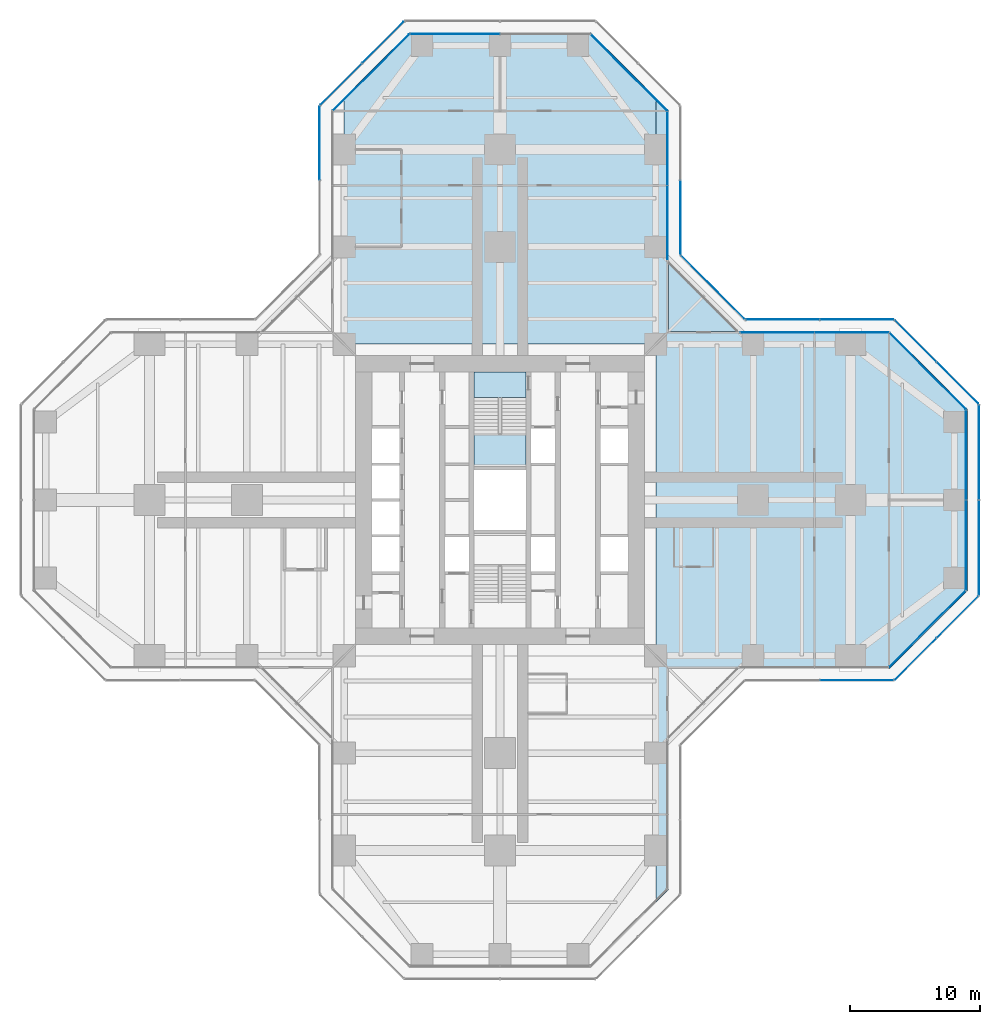
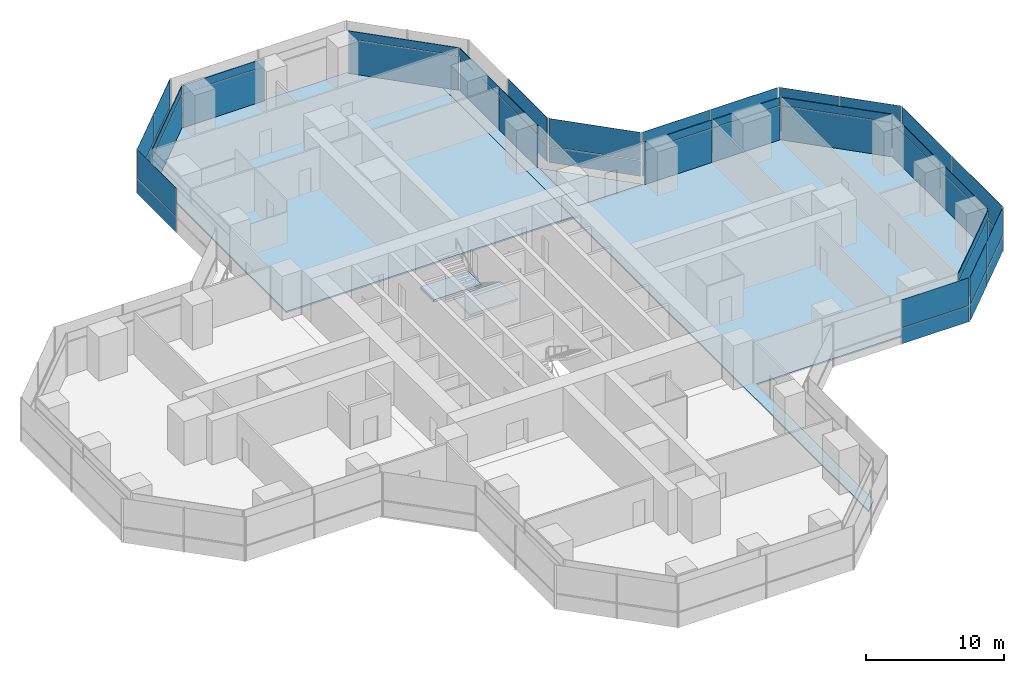
# One storey, part 16 of 22: 50 plates, 5 slabs, 18 elements without a shape of their own.
"""IFC4 building model written with IfcOpenShell, lengths in metres."""

import ifcopenshell
import ifcopenshell.guid

model = None  # the IFC model being written
_history = None  # IfcOwnerHistory: only IFC2X3 demands one
_inside = {}  # id of a spatial element -> (the spatial element, [elements in it])
_under = {}  # id of a project, library or spatial element -> (it, [spatial elements below it])
_declared = {}  # id of a project -> (the project, [libraries it declares])
_typed = {}  # id of a type object -> (the type object, [elements of that type])
_made_of = {}  # id of a material, layer set ... -> (it, [elements and type objects made of it])


def new_model(schema):
    """Start an empty IFC model of exactly this schema.

    Asked for "IFC4X3", IfcOpenShell would pick the latest addendum, in which some entities
    have other attributes; the version numbers below select the first issue.
    IFC2X3 requires an IfcOwnerHistory on every rooted entity: one is made here for all.
    """
    global model, _history
    if schema == "IFC4X3":
        model = ifcopenshell.file(schema_version=(4, 3, 0, 0))
    else:
        model = ifcopenshell.file(schema=schema)
    _inside.clear()
    _under.clear()
    _declared.clear()
    _typed.clear()
    _made_of.clear()
    _history = None
    if model.schema == "IFC2X3":
        org = make("IfcOrganization", Name="unknown")
        user = make(
            "IfcPersonAndOrganization",
            ThePerson=make("IfcPerson", FamilyName="unknown"),
            TheOrganization=org,
        )
        app = make(
            "IfcApplication",
            ApplicationDeveloper=org,
            Version="unknown",
            ApplicationFullName="unknown",
            ApplicationIdentifier="unknown",
        )
        _history = make(
            "IfcOwnerHistory",
            OwningUser=user,
            OwningApplication=app,
            ChangeAction="ADDED",
            CreationDate=0,
        )
    return model


def make(cls, **values):
    """One entity of the class cls with the attributes given. An attribute that is None is left unset."""
    return model.create_entity(
        cls, **{name: value for name, value in values.items() if value is not None}
    )


def rooted(cls, **values):
    """An entity with a GlobalId (a new one), such as an element, a storey or a relation."""
    return make(cls, GlobalId=ifcopenshell.guid.new(), OwnerHistory=_history, **values)


def si_unit(unit_type, name, prefix=None):
    """IfcSIUnit, for example si_unit("LENGTHUNIT", "METRE", prefix="MILLI")."""
    return make("IfcSIUnit", UnitType=unit_type, Prefix=prefix, Name=name)


def assignment(units):
    """IfcUnitAssignment: the units of a project."""
    return None if units is None else make("IfcUnitAssignment", Units=units)


def point(xyz):
    """IfcCartesianPoint."""
    return None if xyz is None else make("IfcCartesianPoint", Coordinates=xyz)


def direction(xyz):
    """IfcDirection."""
    return None if xyz is None else make("IfcDirection", DirectionRatios=xyz)


def frame(location, z_axis=None, x_axis=None):
    """IfcAxis2Placement3D, a coordinate frame: its origin and axes. An axis left out is left unset."""
    return make(
        "IfcAxis2Placement3D",
        Location=point(location),
        Axis=direction(z_axis),
        RefDirection=direction(x_axis),
    )


def frame_2d(location, x_axis=None):
    """IfcAxis2Placement2D, a coordinate frame in the plane: its origin and x axis."""
    return make(
        "IfcAxis2Placement2D", Location=point(location), RefDirection=direction(x_axis)
    )


def origin():
    """The frame at (0, 0, 0) with its axes left unset."""
    return frame((0.0, 0.0, 0.0))


def origin_2d():
    """The frame at (0, 0) in the plane with its x axis left unset."""
    return frame_2d((0.0, 0.0))


def place(relative_to, where):
    """IfcLocalPlacement: puts the frame where relative to a parent placement (None: the world)."""
    return make(
        "IfcLocalPlacement", PlacementRelTo=relative_to, RelativePlacement=where
    )


def context(
    kind, dimensions, precision=None, world=None, true_north=None, identifier=None
):
    """IfcGeometricRepresentationContext, for example the 3D "Model" context."""
    return make(
        "IfcGeometricRepresentationContext",
        ContextIdentifier=identifier,
        ContextType=kind,
        CoordinateSpaceDimension=dimensions,
        Precision=precision,
        WorldCoordinateSystem=world,
        TrueNorth=true_north,
    )


def subcontext(parent, identifier, kind, view, scale=None):
    """IfcGeometricRepresentationSubContext, for example "Body" below "Model"."""
    return make(
        "IfcGeometricRepresentationSubContext",
        ContextIdentifier=identifier,
        ContextType=kind,
        ParentContext=parent,
        TargetScale=scale,
        TargetView=view,
    )


def project(units=None, contexts=None):
    """IfcProject with its units and contexts."""
    return rooted(
        "IfcProject",
        Name="project",
        RepresentationContexts=contexts,
        UnitsInContext=assignment(units),
    )


def spatial(cls, under=None, at=None, **own):
    """A site, building, storey or space (cls), placed at a placement, below another one or the project."""
    s = rooted(cls, ObjectPlacement=at, **own)
    if under is not None:
        _under.setdefault(under.id(), (under, []))[1].append(s)
    return s


def polyline(points):
    """IfcPolyline through the points."""
    return make("IfcPolyline", Points=[point(p) for p in points])


def profile(cls, at=None, kind="AREA", **sizes):
    """A parametric profile (cls). Its sizes go by their IFC names, for example OverallWidth=200.0."""
    return make(cls, ProfileType=kind, Position=at, **sizes)


def rectangle(**sizes):
    """IfcRectangleProfileDef."""
    return profile("IfcRectangleProfileDef", **sizes)


def outline(outer, holes=None, kind="AREA"):
    """IfcArbitraryClosedProfileDef: a profile drawn as a closed curve; with holes, ...WithVoids."""
    if holes is None:
        return make("IfcArbitraryClosedProfileDef", ProfileType=kind, OuterCurve=outer)
    return make(
        "IfcArbitraryProfileDefWithVoids",
        ProfileType=kind,
        OuterCurve=outer,
        InnerCurves=holes,
    )


def extrude(swept, where, along, depth):
    """IfcExtrudedAreaSolid: the profile swept, set in the frame where, extruded along a direction by depth."""
    return make(
        "IfcExtrudedAreaSolid",
        SweptArea=swept,
        Position=where,
        ExtrudedDirection=direction(along),
        Depth=depth,
    )


def shape(context_of_items, identifier, shape_type, items):
    """IfcShapeRepresentation: the items that make up one representation, for example the "Body"."""
    return make(
        "IfcShapeRepresentation",
        ContextOfItems=context_of_items,
        RepresentationIdentifier=identifier,
        RepresentationType=shape_type,
        Items=items,
    )


def material(Name=None, Category=None):
    """IfcMaterial."""
    return make("IfcMaterial", Name=Name, Category=Category)


def layer(
    of_material, thickness, ventilated=None, Name=None, Category=None, Priority=None
):
    """IfcMaterialLayer: one layer of a wall or slab, of a material (None: an air gap)."""
    return make(
        "IfcMaterialLayer",
        Material=of_material,
        LayerThickness=thickness,
        IsVentilated=ventilated,
        Name=Name,
        Category=Category,
        Priority=Priority,
    )


def layer_set(layers, Name=None):
    """IfcMaterialLayerSet."""
    return make("IfcMaterialLayerSet", MaterialLayers=layers, LayerSetName=Name)


def made_of(thing, what):
    """Note that an element or type object is made of a material, layer set ...; save() writes the relation."""
    if what is not None:
        _made_of.setdefault(what.id(), (what, []))[1].append(thing)
    return thing


def type_object(cls, material=None, **own):
    """A type object (cls), such as IfcWallType, which elements share."""
    return made_of(rooted(cls, **own), material)


def element(
    cls,
    number,
    at=None,
    inside=None,
    cuts=None,
    type_object=None,
    material=None,
    context=None,
    identifier="Body",
    shape_type=None,
    held_by="IfcProductDefinitionShape",
    body=None,
    shapes=None,
    **own,
):
    """One element of the class cls, such as IfcWall. Its Tag is "e" and its number.

    at: its placement. inside: the storey or other place that contains it. cuts: it is an
    opening in that element (IfcRelVoidsElement). A single representation is given by context,
    identifier, shape_type and body (its items); several are given by shapes. held_by: the class
    of the entity that holds the representations. save() writes the other relations.
    """
    e = rooted(cls, Tag="e%d" % number, ObjectPlacement=at, **own)
    if body is not None:
        shapes = [shape(context, identifier, shape_type, body)]
    if shapes is not None:
        e.Representation = make(held_by, Representations=shapes)
    if inside is not None:
        _inside.setdefault(inside.id(), (inside, []))[1].append(e)
    if cuts is not None:
        rooted(
            "IfcRelVoidsElement", RelatingBuildingElement=cuts, RelatedOpeningElement=e
        )
    if type_object is not None:
        _typed.setdefault(type_object.id(), (type_object, []))[1].append(e)
    return made_of(e, material)


def aggregate(whole, parts):
    """IfcRelAggregates: a whole, such as a stair, and the parts it consists of."""
    return rooted("IfcRelAggregates", RelatingObject=whole, RelatedObjects=parts)


def save(model, path):
    """Write the relations noted so far, then the file.

    IfcRelAggregates (storeys below a building ...), IfcRelContainedInSpatialStructure (elements
    in a storey), IfcRelDefinesByType, IfcRelAssociatesMaterial and IfcRelDeclares: one each for
    every whole, place, type object, material and project.
    """
    for whole, parts in _under.values():
        aggregate(whole, parts)
    for where, things in _inside.values():
        rooted(
            "IfcRelContainedInSpatialStructure",
            RelatedElements=things,
            RelatingStructure=where,
        )
    for kind, things in _typed.values():
        rooted("IfcRelDefinesByType", RelatedObjects=things, RelatingType=kind)
    for what, things in _made_of.values():
        rooted("IfcRelAssociatesMaterial", RelatedObjects=things, RelatingMaterial=what)
    for by, libraries in _declared.values():
        rooted("IfcRelDeclares", RelatingContext=by, RelatedDefinitions=libraries)
    model.write(path)


model = new_model("IFC4")

# Units and contexts
model_context = context("Model", 3, precision=1e-05, world=origin(), true_north=direction((0.0, 1.0)))
body_context = subcontext(model_context, "Body", "Model", "MODEL_VIEW")
ifc_project = project(units=[si_unit("LENGTHUNIT", "METRE"), si_unit("AREAUNIT", "SQUARE_METRE"), si_unit("VOLUMEUNIT", "CUBIC_METRE"), si_unit("PLANEANGLEUNIT", "RADIAN"), si_unit("MASSUNIT", "GRAM", prefix="KILO")], contexts=[model_context])

# Site, building, storey
site_placement = place(None, origin())
site = spatial("IfcSite", under=ifc_project, at=site_placement, CompositionType="ELEMENT")
building_placement = place(site_placement, origin())
building = spatial("IfcBuilding", under=site, at=building_placement, Name="Mizan Broadcast Tower", CompositionType="ELEMENT")
storey_placement = place(building_placement, frame((0.0, 0.0, 109.800048828125)))
storey = spatial("IfcBuildingStorey", under=building, at=storey_placement, Name="L24", CompositionType="ELEMENT", Elevation=109.800048828125)

# Slabs
ifc_material_1 = material(Name="Concrete C32/40", Category="concrete")
ifc_layer_1 = layer(ifc_material_1, 0.1298828125)
ifc_layer_set_1 = layer_set([ifc_layer_1], Name="Concrete C32/40")
slab_type_1 = type_object("IfcSlabType", Name="COMPOSITE DECK SLAB 130", PredefinedType="FLOOR", material=ifc_layer_set_1)
slab_1_placement = place(storey_placement, frame((0.0, 0.0, -0.130126953125)))
element("IfcSlab", 1, at=slab_1_placement, inside=storey, type_object=slab_type_1, Name="Floor slab L24 east arm", PredefinedType="FLOOR", context=body_context, shape_type="SweptSolid", body=[
    extrude(outline(polyline([(12.0, -31.0), (13.0, -30.0), (13.0, -13.0), (30.0, -13.0), (36.0, -7.0), (36.0, 7.0), (30.0, 13.0), (13.0, 13.0), (13.0, 30.0), (12.0, 31.0), (12.0, -31.0)])), origin(), (0.0, 0.0, 1.0), 0.130126953125),
])
slab_2_placement = place(storey_placement, frame((0.0, 0.0, -0.130126953125)))
element("IfcSlab", 2, at=slab_2_placement, inside=storey, type_object=slab_type_1, Name="Floor slab L24 north arm", PredefinedType="FLOOR", context=body_context, shape_type="SweptSolid", body=[
    extrude(outline(polyline([(-7.0, 36.0), (-12.0, 31.0), (-12.0, 12.0), (12.0, 12.0), (12.0, 31.0), (7.0, 36.0), (-7.0, 36.0)])), origin(), (0.0, 0.0, 1.0), 0.130126953125),
])

# Curtain wall, plate
ifc_material_2 = material(Name="Aluminium framed glazing", Category="aluminium")
curtain_wall_type_1 = type_object("IfcCurtainWallType", Name="INNER SKIN LOW ZONE", PredefinedType="USERDEFINED", material=ifc_material_2)
curtain_wall_1_placement = place(storey_placement, origin())
curtain_wall_1 = element("IfcCurtainWall", 3, at=curtain_wall_1_placement, inside=storey, type_object=curtain_wall_type_1, Name="Inner skin low zone L24 E chamfer", ObjectType="INNER SKIN LOW ZONE", PredefinedType="USERDEFINED")
ifc_material_3 = material(Name="Double glazing, clear low-e", Category="glass")
ifc_layer_2 = layer(ifc_material_3, 0.028076171875)
ifc_layer_set_2 = layer_set([ifc_layer_2], Name="Double glazing, clear low-e")
plate_type_1 = type_object("IfcPlateType", Name="INNER SKIN GLAZING UNIT", PredefinedType="CURTAIN_PANEL", material=ifc_layer_set_2)
plate_1_placement = place(storey_placement, frame((32.92919921875, -9.92919921875, 0.0), z_axis=(0.0, 0.0, 1.0), x_axis=(0.707106781187, 0.707106781187, 0.0)))
plate_1 = element("IfcPlate", 4, at=plate_1_placement, type_object=plate_type_1, Name="Inner skin low zone L24 E chamfer panel 1.1", PredefinedType="CURTAIN_PANEL", context=body_context, shape_type="SweptSolid", body=[
    extrude(rectangle(XDim=8.282470703125, YDim=0.028076171875, at=origin_2d()), origin(), (0.0, 0.0, 1.0), 3.0),
])

# Curtain wall, plates
curtain_wall_2_placement = place(storey_placement, origin())
curtain_wall_2 = element("IfcCurtainWall", 5, at=curtain_wall_2_placement, inside=storey, type_object=curtain_wall_type_1, Name="Inner skin low zone L24 E end", ObjectType="INNER SKIN LOW ZONE", PredefinedType="USERDEFINED")
plate_2_placement = place(storey_placement, frame((35.89990234375, -3.46435546875, 0.0), z_axis=(0.0, 0.0, 1.0), x_axis=(0.0, 1.0, 0.0)))
plate_2 = element("IfcPlate", 6, at=plate_2_placement, type_object=plate_type_1, Name="Inner skin low zone L24 E end panel 1.1", PredefinedType="CURTAIN_PANEL", context=body_context, shape_type="SweptSolid", body=[
    extrude(rectangle(XDim=6.86865234375, YDim=0.028076171875, at=origin_2d()), origin(), (0.0, 0.0, 1.0), 3.0),
])
plate_3_placement = place(storey_placement, frame((35.89990234375, 3.46435546875, 0.0), z_axis=(0.0, 0.0, 1.0), x_axis=(0.0, 1.0, 0.0)))
plate_3 = element("IfcPlate", 7, at=plate_3_placement, type_object=plate_type_1, Name="Inner skin low zone L24 E end panel 2.1", PredefinedType="CURTAIN_PANEL", context=body_context, shape_type="SweptSolid", body=[
    extrude(rectangle(XDim=6.86865234375, YDim=0.028076171875, at=origin_2d()), origin(), (0.0, 0.0, 1.0), 3.0),
])

# Curtain wall, plate
curtain_wall_3_placement = place(storey_placement, origin())
curtain_wall_3 = element("IfcCurtainWall", 8, at=curtain_wall_3_placement, inside=storey, type_object=curtain_wall_type_1, Name="Inner skin low zone L24 E chamfer", ObjectType="INNER SKIN LOW ZONE", PredefinedType="USERDEFINED")
plate_4_placement = place(storey_placement, frame((32.92919921875, 9.92919921875, 0.0), z_axis=(0.0, 0.0, 1.0), x_axis=(-0.707106781187, 0.707106781187, 0.0)))
plate_4 = element("IfcPlate", 9, at=plate_4_placement, type_object=plate_type_1, Name="Inner skin low zone L24 E chamfer panel 1.1", PredefinedType="CURTAIN_PANEL", context=body_context, shape_type="SweptSolid", body=[
    extrude(rectangle(XDim=8.282470703125, YDim=0.028076171875, at=origin_2d()), origin(), (0.0, 0.0, 1.0), 3.0),
])

# Curtain wall, plates
curtain_wall_4_placement = place(storey_placement, origin())
curtain_wall_4 = element("IfcCurtainWall", 10, at=curtain_wall_4_placement, inside=storey, type_object=curtain_wall_type_1, Name="Inner skin low zone L24 E side", ObjectType="INNER SKIN LOW ZONE", PredefinedType="USERDEFINED")
plate_5_placement = place(storey_placement, frame((27.078857421875, 12.89990234375, 0.0), z_axis=(0.0, 0.0, 1.0), x_axis=(-1.0, 0.0, 0.0)))
plate_5 = element("IfcPlate", 11, at=plate_5_placement, type_object=plate_type_1, Name="Inner skin low zone L24 E side panel 1.1", PredefinedType="CURTAIN_PANEL", context=body_context, shape_type="SweptSolid", body=[
    extrude(rectangle(XDim=5.639404296875, YDim=0.028076171875, at=origin_2d()), origin(), (0.0, 0.0, 1.0), 3.0),
])
plate_6_placement = place(storey_placement, frame((21.379638671875, 12.89990234375, 0.0), z_axis=(0.0, 0.0, 1.0), x_axis=(-1.0, 0.0, 0.0)))
plate_6 = element("IfcPlate", 12, at=plate_6_placement, type_object=plate_type_1, Name="Inner skin low zone L24 E side panel 2.1", PredefinedType="CURTAIN_PANEL", context=body_context, shape_type="SweptSolid", body=[
    extrude(rectangle(XDim=5.639404296875, YDim=0.028076171875, at=origin_2d()), origin(), (0.0, 0.0, 1.0), 3.0),
])

curtain_wall_5_placement = place(storey_placement, origin())
curtain_wall_5 = element("IfcCurtainWall", 13, at=curtain_wall_5_placement, inside=storey, type_object=curtain_wall_type_1, Name="Inner skin low zone L24 N side", ObjectType="INNER SKIN LOW ZONE", PredefinedType="USERDEFINED")
plate_7_placement = place(storey_placement, frame((12.89990234375, 21.379638671875, 0.0), z_axis=(0.0, 0.0, 1.0), x_axis=(0.0, 1.0, 0.0)))
plate_7 = element("IfcPlate", 14, at=plate_7_placement, type_object=plate_type_1, Name="Inner skin low zone L24 N side panel 1.1", PredefinedType="CURTAIN_PANEL", context=body_context, shape_type="SweptSolid", body=[
    extrude(rectangle(XDim=5.639404296875, YDim=0.028076171875, at=origin_2d()), origin(), (0.0, 0.0, 1.0), 3.0),
])
plate_8_placement = place(storey_placement, frame((12.89990234375, 27.078857421875, 0.0), z_axis=(0.0, 0.0, 1.0), x_axis=(0.0, 1.0, 0.0)))
plate_8 = element("IfcPlate", 15, at=plate_8_placement, type_object=plate_type_1, Name="Inner skin low zone L24 N side panel 2.1", PredefinedType="CURTAIN_PANEL", context=body_context, shape_type="SweptSolid", body=[
    extrude(rectangle(XDim=5.639404296875, YDim=0.028076171875, at=origin_2d()), origin(), (0.0, 0.0, 1.0), 3.0),
])

# Curtain wall, plate
curtain_wall_6_placement = place(storey_placement, origin())
curtain_wall_6 = element("IfcCurtainWall", 16, at=curtain_wall_6_placement, inside=storey, type_object=curtain_wall_type_1, Name="Inner skin low zone L24 N chamfer", ObjectType="INNER SKIN LOW ZONE", PredefinedType="USERDEFINED")
plate_9_placement = place(storey_placement, frame((9.92919921875, 32.92919921875, 0.0), z_axis=(0.0, 0.0, 1.0), x_axis=(-0.707106781187, 0.707106781187, 0.0)))
plate_9 = element("IfcPlate", 17, at=plate_9_placement, type_object=plate_type_1, Name="Inner skin low zone L24 N chamfer panel 1.1", PredefinedType="CURTAIN_PANEL", context=body_context, shape_type="SweptSolid", body=[
    extrude(rectangle(XDim=8.282470703125, YDim=0.028076171875, at=origin_2d()), origin(), (0.0, 0.0, 1.0), 3.0),
])

curtain_wall_7_placement = place(storey_placement, origin())
curtain_wall_7 = element("IfcCurtainWall", 18, at=curtain_wall_7_placement, inside=storey, type_object=curtain_wall_type_1, Name="Inner skin low zone L24 N end", ObjectType="INNER SKIN LOW ZONE", PredefinedType="USERDEFINED")
plate_10_placement = place(storey_placement, frame((-3.46435546875, 35.89990234375, 0.0), z_axis=(0.0, 0.0, 1.0), x_axis=(-1.0, 0.0, 0.0)))
plate_10 = element("IfcPlate", 19, at=plate_10_placement, type_object=plate_type_1, Name="Inner skin low zone L24 N end panel 2.1", PredefinedType="CURTAIN_PANEL", context=body_context, shape_type="SweptSolid", body=[
    extrude(rectangle(XDim=6.86865234375, YDim=0.028076171875, at=origin_2d()), origin(), (0.0, 0.0, 1.0), 3.0),
])

curtain_wall_8_placement = place(storey_placement, origin())
curtain_wall_8 = element("IfcCurtainWall", 20, at=curtain_wall_8_placement, inside=storey, type_object=curtain_wall_type_1, Name="Inner skin low zone L24 N chamfer", ObjectType="INNER SKIN LOW ZONE", PredefinedType="USERDEFINED")
plate_11_placement = place(storey_placement, frame((-9.92919921875, 32.92919921875, 0.0), z_axis=(0.0, 0.0, 1.0), x_axis=(-0.707106781187, -0.707106781187, 0.0)))
plate_11 = element("IfcPlate", 21, at=plate_11_placement, type_object=plate_type_1, Name="Inner skin low zone L24 N chamfer panel 1.1", PredefinedType="CURTAIN_PANEL", context=body_context, shape_type="SweptSolid", body=[
    extrude(rectangle(XDim=8.282470703125, YDim=0.028076171875, at=origin_2d()), origin(), (0.0, 0.0, 1.0), 3.0),
])

# Plate
ifc_material_4 = material(Name="Insulated aluminium spandrel panel, pale anodised", Category="aluminium")
ifc_layer_3 = layer(ifc_material_4, 0.050048828125)
ifc_layer_set_3 = layer_set([ifc_layer_3], Name="Insulated aluminium spandrel panel, pale anodised")
plate_type_2 = type_object("IfcPlateType", Name="INNER SKIN SPANDREL PANEL", PredefinedType="CURTAIN_PANEL", material=ifc_layer_set_3)
plate_12_placement = place(storey_placement, frame((32.92919921875, -9.92919921875, 3.06005859375), z_axis=(0.0, 0.0, 1.0), x_axis=(0.707106781187, 0.707106781187, 0.0)))
plate_12 = element("IfcPlate", 22, at=plate_12_placement, type_object=plate_type_2, Name="Inner skin low zone L24 E chamfer panel 1.2", PredefinedType="CURTAIN_PANEL", context=body_context, shape_type="SweptSolid", body=[
    extrude(rectangle(XDim=8.282470703125, YDim=0.050048828125, at=origin_2d()), origin(), (0.0, 0.0, 1.0), 0.7099609375),
])

aggregate(curtain_wall_1, [plate_1, plate_12])

plate_13_placement = place(storey_placement, frame((35.89990234375, -3.46435546875, 3.06005859375), z_axis=(0.0, 0.0, 1.0), x_axis=(0.0, 1.0, 0.0)))
plate_13 = element("IfcPlate", 23, at=plate_13_placement, type_object=plate_type_2, Name="Inner skin low zone L24 E end panel 1.2", PredefinedType="CURTAIN_PANEL", context=body_context, shape_type="SweptSolid", body=[
    extrude(rectangle(XDim=6.86865234375, YDim=0.050048828125, at=origin_2d()), origin(), (0.0, 0.0, 1.0), 0.7099609375),
])

plate_14_placement = place(storey_placement, frame((35.89990234375, 3.46435546875, 3.06005859375), z_axis=(0.0, 0.0, 1.0), x_axis=(0.0, 1.0, 0.0)))
plate_14 = element("IfcPlate", 24, at=plate_14_placement, type_object=plate_type_2, Name="Inner skin low zone L24 E end panel 2.2", PredefinedType="CURTAIN_PANEL", context=body_context, shape_type="SweptSolid", body=[
    extrude(rectangle(XDim=6.86865234375, YDim=0.050048828125, at=origin_2d()), origin(), (0.0, 0.0, 1.0), 0.7099609375),
])

aggregate(curtain_wall_2, [plate_2, plate_13, plate_3, plate_14])

plate_15_placement = place(storey_placement, frame((32.92919921875, 9.92919921875, 3.06005859375), z_axis=(0.0, 0.0, 1.0), x_axis=(-0.707106781187, 0.707106781187, 0.0)))
plate_15 = element("IfcPlate", 25, at=plate_15_placement, type_object=plate_type_2, Name="Inner skin low zone L24 E chamfer panel 1.2", PredefinedType="CURTAIN_PANEL", context=body_context, shape_type="SweptSolid", body=[
    extrude(rectangle(XDim=8.282470703125, YDim=0.050048828125, at=origin_2d()), origin(), (0.0, 0.0, 1.0), 0.7099609375),
])

aggregate(curtain_wall_3, [plate_4, plate_15])

plate_16_placement = place(storey_placement, frame((27.078857421875, 12.89990234375, 3.06005859375), z_axis=(0.0, 0.0, 1.0), x_axis=(-1.0, 0.0, 0.0)))
plate_16 = element("IfcPlate", 26, at=plate_16_placement, type_object=plate_type_2, Name="Inner skin low zone L24 E side panel 1.2", PredefinedType="CURTAIN_PANEL", context=body_context, shape_type="SweptSolid", body=[
    extrude(rectangle(XDim=5.639404296875, YDim=0.050048828125, at=origin_2d()), origin(), (0.0, 0.0, 1.0), 0.7099609375),
])

plate_17_placement = place(storey_placement, frame((21.379638671875, 12.89990234375, 3.06005859375), z_axis=(0.0, 0.0, 1.0), x_axis=(-1.0, 0.0, 0.0)))
plate_17 = element("IfcPlate", 27, at=plate_17_placement, type_object=plate_type_2, Name="Inner skin low zone L24 E side panel 2.2", PredefinedType="CURTAIN_PANEL", context=body_context, shape_type="SweptSolid", body=[
    extrude(rectangle(XDim=5.639404296875, YDim=0.050048828125, at=origin_2d()), origin(), (0.0, 0.0, 1.0), 0.7099609375),
])

aggregate(curtain_wall_4, [plate_5, plate_16, plate_6, plate_17])

plate_18_placement = place(storey_placement, frame((12.89990234375, 21.379638671875, 3.06005859375), z_axis=(0.0, 0.0, 1.0), x_axis=(0.0, 1.0, 0.0)))
plate_18 = element("IfcPlate", 28, at=plate_18_placement, type_object=plate_type_2, Name="Inner skin low zone L24 N side panel 1.2", PredefinedType="CURTAIN_PANEL", context=body_context, shape_type="SweptSolid", body=[
    extrude(rectangle(XDim=5.639404296875, YDim=0.050048828125, at=origin_2d()), origin(), (0.0, 0.0, 1.0), 0.7099609375),
])

plate_19_placement = place(storey_placement, frame((12.89990234375, 27.078857421875, 3.06005859375), z_axis=(0.0, 0.0, 1.0), x_axis=(0.0, 1.0, 0.0)))
plate_19 = element("IfcPlate", 29, at=plate_19_placement, type_object=plate_type_2, Name="Inner skin low zone L24 N side panel 2.2", PredefinedType="CURTAIN_PANEL", context=body_context, shape_type="SweptSolid", body=[
    extrude(rectangle(XDim=5.639404296875, YDim=0.050048828125, at=origin_2d()), origin(), (0.0, 0.0, 1.0), 0.7099609375),
])

aggregate(curtain_wall_5, [plate_7, plate_18, plate_8, plate_19])

plate_20_placement = place(storey_placement, frame((9.92919921875, 32.92919921875, 3.06005859375), z_axis=(0.0, 0.0, 1.0), x_axis=(-0.707106781187, 0.707106781187, 0.0)))
plate_20 = element("IfcPlate", 30, at=plate_20_placement, type_object=plate_type_2, Name="Inner skin low zone L24 N chamfer panel 1.2", PredefinedType="CURTAIN_PANEL", context=body_context, shape_type="SweptSolid", body=[
    extrude(rectangle(XDim=8.282470703125, YDim=0.050048828125, at=origin_2d()), origin(), (0.0, 0.0, 1.0), 0.7099609375),
])

aggregate(curtain_wall_6, [plate_9, plate_20])

plate_21_placement = place(storey_placement, frame((-3.46435546875, 35.89990234375, 3.06005859375), z_axis=(0.0, 0.0, 1.0), x_axis=(-1.0, 0.0, 0.0)))
plate_21 = element("IfcPlate", 31, at=plate_21_placement, type_object=plate_type_2, Name="Inner skin low zone L24 N end panel 2.2", PredefinedType="CURTAIN_PANEL", context=body_context, shape_type="SweptSolid", body=[
    extrude(rectangle(XDim=6.86865234375, YDim=0.050048828125, at=origin_2d()), origin(), (0.0, 0.0, 1.0), 0.7099609375),
])

aggregate(curtain_wall_7, [plate_10, plate_21])

plate_22_placement = place(storey_placement, frame((-9.92919921875, 32.92919921875, 3.06005859375), z_axis=(0.0, 0.0, 1.0), x_axis=(-0.707106781187, -0.707106781187, 0.0)))
plate_22 = element("IfcPlate", 32, at=plate_22_placement, type_object=plate_type_2, Name="Inner skin low zone L24 N chamfer panel 1.2", PredefinedType="CURTAIN_PANEL", context=body_context, shape_type="SweptSolid", body=[
    extrude(rectangle(XDim=8.282470703125, YDim=0.050048828125, at=origin_2d()), origin(), (0.0, 0.0, 1.0), 0.7099609375),
])

aggregate(curtain_wall_8, [plate_11, plate_22])

# Curtain wall, plates
ifc_material_5 = material(Name="Aluminium framed glazing", Category="aluminium")
curtain_wall_type_2 = type_object("IfcCurtainWallType", Name="OUTER SKIN", PredefinedType="USERDEFINED", material=ifc_material_5)
curtain_wall_9_placement = place(storey_placement, origin())
curtain_wall_9 = element("IfcCurtainWall", 33, at=curtain_wall_9_placement, inside=storey, type_object=curtain_wall_type_2, Name="Outer skin L24 E chamfer", ObjectType="OUTER SKIN", PredefinedType="USERDEFINED")
ifc_material_6 = material(Name="Laminated clear glass", Category="glass")
ifc_layer_4 = layer(ifc_material_6, 0.02001953125)
ifc_layer_set_4 = layer_set([ifc_layer_4], Name="Laminated clear glass")
plate_type_3 = type_object("IfcPlateType", Name="OUTER SKIN CLEAR GLASS", PredefinedType="CURTAIN_PANEL", material=ifc_layer_set_4)
plate_23_placement = place(storey_placement, frame((32.018798828125, -12.254150390625, 0.0), z_axis=(0.0, 0.0, 1.0), x_axis=(0.707106781187, 0.707106781187, 0.0)))
plate_23 = element("IfcPlate", 34, at=plate_23_placement, type_object=plate_type_3, Name="Outer skin L24 E chamfer panel 1.1", PredefinedType="CURTAIN_PANEL", context=body_context, shape_type="SweptSolid", body=[
    extrude(rectangle(XDim=4.495361328125, YDim=0.02001953125, at=origin_2d()), origin(), (0.0, 0.0, 1.0), 1.3701171875),
])
plate_24_placement = place(storey_placement, frame((32.018798828125, -12.254150390625, 1.43017578125), z_axis=(0.0, 0.0, 1.0), x_axis=(0.707106781187, 0.707106781187, 0.0)))
plate_24 = element("IfcPlate", 35, at=plate_24_placement, type_object=plate_type_3, Name="Outer skin L24 E chamfer panel 1.2", PredefinedType="CURTAIN_PANEL", context=body_context, shape_type="SweptSolid", body=[
    extrude(rectangle(XDim=4.495361328125, YDim=0.02001953125, at=origin_2d()), origin(), (0.0, 0.0, 1.0), 2.469970703125),
])

curtain_wall_10_placement = place(storey_placement, origin())
curtain_wall_10 = element("IfcCurtainWall", 36, at=curtain_wall_10_placement, inside=storey, type_object=curtain_wall_type_2, Name="Outer skin L24 E end", ObjectType="OUTER SKIN", PredefinedType="USERDEFINED")
plate_25_placement = place(storey_placement, frame((36.89990234375, -3.66650390625, 0.0), z_axis=(0.0, 0.0, 1.0), x_axis=(0.0, 1.0, 0.0)))
plate_25 = element("IfcPlate", 37, at=plate_25_placement, type_object=plate_type_3, Name="Outer skin L24 E end panel 1.1", PredefinedType="CURTAIN_PANEL", context=body_context, shape_type="SweptSolid", body=[
    extrude(rectangle(XDim=7.252685546875, YDim=0.02001953125, at=origin_2d()), origin(), (0.0, 0.0, 1.0), 1.3701171875),
])
plate_26_placement = place(storey_placement, frame((36.89990234375, -3.66650390625, 1.43017578125), z_axis=(0.0, 0.0, 1.0), x_axis=(0.0, 1.0, 0.0)))
plate_26 = element("IfcPlate", 38, at=plate_26_placement, type_object=plate_type_3, Name="Outer skin L24 E end panel 1.2", PredefinedType="CURTAIN_PANEL", context=body_context, shape_type="SweptSolid", body=[
    extrude(rectangle(XDim=7.252685546875, YDim=0.02001953125, at=origin_2d()), origin(), (0.0, 0.0, 1.0), 2.469970703125),
])

curtain_wall_11_placement = place(storey_placement, origin())
curtain_wall_11 = element("IfcCurtainWall", 39, at=curtain_wall_11_placement, inside=storey, type_object=curtain_wall_type_2, Name="Outer skin L24 E chamfer", ObjectType="OUTER SKIN", PredefinedType="USERDEFINED")
plate_27_placement = place(storey_placement, frame((35.254150390625, 9.018798828125, 0.0), z_axis=(0.0, 0.0, 1.0), x_axis=(-0.707106781187, 0.707106781187, 0.0)))
plate_27 = element("IfcPlate", 40, at=plate_27_placement, type_object=plate_type_3, Name="Outer skin L24 E chamfer panel 1.1", PredefinedType="CURTAIN_PANEL", context=body_context, shape_type="SweptSolid", body=[
    extrude(rectangle(XDim=4.495361328125, YDim=0.02001953125, at=origin_2d()), origin(), (0.0, 0.0, 1.0), 1.3701171875),
])
plate_28_placement = place(storey_placement, frame((35.254150390625, 9.018798828125, 1.43017578125), z_axis=(0.0, 0.0, 1.0), x_axis=(-0.707106781187, 0.707106781187, 0.0)))
plate_28 = element("IfcPlate", 41, at=plate_28_placement, type_object=plate_type_3, Name="Outer skin L24 E chamfer panel 1.2", PredefinedType="CURTAIN_PANEL", context=body_context, shape_type="SweptSolid", body=[
    extrude(rectangle(XDim=4.495361328125, YDim=0.02001953125, at=origin_2d()), origin(), (0.0, 0.0, 1.0), 2.469970703125),
])

curtain_wall_12_placement = place(storey_placement, origin())
curtain_wall_12 = element("IfcCurtainWall", 42, at=curtain_wall_12_placement, inside=storey, type_object=curtain_wall_type_2, Name="Outer skin L24 E side", ObjectType="OUTER SKIN", PredefinedType="USERDEFINED")
plate_29_placement = place(storey_placement, frame((27.477783203125, 13.89990234375, 0.0), z_axis=(0.0, 0.0, 1.0), x_axis=(-1.0, 0.0, 0.0)))
plate_29 = element("IfcPlate", 43, at=plate_29_placement, type_object=plate_type_3, Name="Outer skin L24 E side panel 1.1", PredefinedType="CURTAIN_PANEL", context=body_context, shape_type="SweptSolid", body=[
    extrude(rectangle(XDim=5.6298828125, YDim=0.02001953125, at=origin_2d()), origin(), (0.0, 0.0, 1.0), 1.3701171875),
])
plate_30_placement = place(storey_placement, frame((27.477783203125, 13.89990234375, 1.43017578125), z_axis=(0.0, 0.0, 1.0), x_axis=(-1.0, 0.0, 0.0)))
plate_30 = element("IfcPlate", 44, at=plate_30_placement, type_object=plate_type_3, Name="Outer skin L24 E side panel 1.2", PredefinedType="CURTAIN_PANEL", context=body_context, shape_type="SweptSolid", body=[
    extrude(rectangle(XDim=5.6298828125, YDim=0.02001953125, at=origin_2d()), origin(), (0.0, 0.0, 1.0), 2.469970703125),
])
plate_31_placement = place(storey_placement, frame((21.767822265625, 13.89990234375, 0.0), z_axis=(0.0, 0.0, 1.0), x_axis=(-1.0, 0.0, 0.0)))
plate_31 = element("IfcPlate", 45, at=plate_31_placement, type_object=plate_type_3, Name="Outer skin L24 E side panel 2.1", PredefinedType="CURTAIN_PANEL", context=body_context, shape_type="SweptSolid", body=[
    extrude(rectangle(XDim=5.6298828125, YDim=0.02001953125, at=origin_2d()), origin(), (0.0, 0.0, 1.0), 1.3701171875),
])
plate_32_placement = place(storey_placement, frame((21.767822265625, 13.89990234375, 1.43017578125), z_axis=(0.0, 0.0, 1.0), x_axis=(-1.0, 0.0, 0.0)))
plate_32 = element("IfcPlate", 46, at=plate_32_placement, type_object=plate_type_3, Name="Outer skin L24 E side panel 2.2", PredefinedType="CURTAIN_PANEL", context=body_context, shape_type="SweptSolid", body=[
    extrude(rectangle(XDim=5.6298828125, YDim=0.02001953125, at=origin_2d()), origin(), (0.0, 0.0, 1.0), 2.469970703125),
])
aggregate(curtain_wall_12, [plate_29, plate_30, plate_31, plate_32])

curtain_wall_13_placement = place(storey_placement, origin())
curtain_wall_13 = element("IfcCurtainWall", 47, at=curtain_wall_13_placement, inside=storey, type_object=curtain_wall_type_2, Name="Outer skin L24 E chamfer", ObjectType="OUTER SKIN", PredefinedType="USERDEFINED")
plate_33_placement = place(storey_placement, frame((16.386474609375, 16.386474609375, 0.0), z_axis=(0.0, 0.0, 1.0), x_axis=(-0.707106781187, 0.707106781187, 0.0)))
plate_33 = element("IfcPlate", 48, at=plate_33_placement, type_object=plate_type_3, Name="Outer skin L24 E chamfer panel 1.1", PredefinedType="CURTAIN_PANEL", context=body_context, shape_type="SweptSolid", body=[
    extrude(rectangle(XDim=6.87255859375, YDim=0.02001953125, at=origin_2d()), origin(), (0.0, 0.0, 1.0), 1.3701171875),
])
plate_34_placement = place(storey_placement, frame((16.386474609375, 16.386474609375, 1.43017578125), z_axis=(0.0, 0.0, 1.0), x_axis=(-0.707106781187, 0.707106781187, 0.0)))
plate_34 = element("IfcPlate", 49, at=plate_34_placement, type_object=plate_type_3, Name="Outer skin L24 E chamfer panel 1.2", PredefinedType="CURTAIN_PANEL", context=body_context, shape_type="SweptSolid", body=[
    extrude(rectangle(XDim=6.87255859375, YDim=0.02001953125, at=origin_2d()), origin(), (0.0, 0.0, 1.0), 2.469970703125),
])
aggregate(curtain_wall_13, [plate_33, plate_34])

curtain_wall_14_placement = place(storey_placement, origin())
curtain_wall_14 = element("IfcCurtainWall", 50, at=curtain_wall_14_placement, inside=storey, type_object=curtain_wall_type_2, Name="Outer skin L24 N side", ObjectType="OUTER SKIN", PredefinedType="USERDEFINED")
plate_35_placement = place(storey_placement, frame((13.89990234375, 21.767822265625, 0.0), z_axis=(0.0, 0.0, 1.0), x_axis=(0.0, 1.0, 0.0)))
plate_35 = element("IfcPlate", 51, at=plate_35_placement, type_object=plate_type_3, Name="Outer skin L24 N side panel 1.1", PredefinedType="CURTAIN_PANEL", context=body_context, shape_type="SweptSolid", body=[
    extrude(rectangle(XDim=5.6298828125, YDim=0.02001953125, at=origin_2d()), origin(), (0.0, 0.0, 1.0), 1.3701171875),
])
plate_36_placement = place(storey_placement, frame((13.89990234375, 21.767822265625, 1.43017578125), z_axis=(0.0, 0.0, 1.0), x_axis=(0.0, 1.0, 0.0)))
plate_36 = element("IfcPlate", 52, at=plate_36_placement, type_object=plate_type_3, Name="Outer skin L24 N side panel 1.2", PredefinedType="CURTAIN_PANEL", context=body_context, shape_type="SweptSolid", body=[
    extrude(rectangle(XDim=5.6298828125, YDim=0.02001953125, at=origin_2d()), origin(), (0.0, 0.0, 1.0), 2.469970703125),
])
aggregate(curtain_wall_14, [plate_35, plate_36])

curtain_wall_15_placement = place(storey_placement, origin())
curtain_wall_15 = element("IfcCurtainWall", 53, at=curtain_wall_15_placement, inside=storey, type_object=curtain_wall_type_2, Name="Outer skin L24 N chamfer", ObjectType="OUTER SKIN", PredefinedType="USERDEFINED")
plate_37_placement = place(storey_placement, frame((-9.018798828125, 35.254150390625, 0.0), z_axis=(0.0, 0.0, 1.0), x_axis=(-0.707106781187, -0.707106781187, 0.0)))
plate_37 = element("IfcPlate", 54, at=plate_37_placement, type_object=plate_type_3, Name="Outer skin L24 N chamfer panel 1.1", PredefinedType="CURTAIN_PANEL", context=body_context, shape_type="SweptSolid", body=[
    extrude(rectangle(XDim=4.495361328125, YDim=0.02001953125, at=origin_2d()), origin(), (0.0, 0.0, 1.0), 1.3701171875),
])
plate_38_placement = place(storey_placement, frame((-9.018798828125, 35.254150390625, 1.43017578125), z_axis=(0.0, 0.0, 1.0), x_axis=(-0.707106781187, -0.707106781187, 0.0)))
plate_38 = element("IfcPlate", 55, at=plate_38_placement, type_object=plate_type_3, Name="Outer skin L24 N chamfer panel 1.2", PredefinedType="CURTAIN_PANEL", context=body_context, shape_type="SweptSolid", body=[
    extrude(rectangle(XDim=4.495361328125, YDim=0.02001953125, at=origin_2d()), origin(), (0.0, 0.0, 1.0), 2.469970703125),
])

curtain_wall_16_placement = place(storey_placement, origin())
curtain_wall_16 = element("IfcCurtainWall", 56, at=curtain_wall_16_placement, inside=storey, type_object=curtain_wall_type_2, Name="Outer skin L24 N side", ObjectType="OUTER SKIN", PredefinedType="USERDEFINED")
plate_39_placement = place(storey_placement, frame((-13.89990234375, 27.477783203125, 0.0), z_axis=(0.0, 0.0, 1.0), x_axis=(0.0, -1.0, 0.0)))
plate_39 = element("IfcPlate", 57, at=plate_39_placement, type_object=plate_type_3, Name="Outer skin L24 N side panel 1.1", PredefinedType="CURTAIN_PANEL", context=body_context, shape_type="SweptSolid", body=[
    extrude(rectangle(XDim=5.6298828125, YDim=0.02001953125, at=origin_2d()), origin(), (0.0, 0.0, 1.0), 1.3701171875),
])
plate_40_placement = place(storey_placement, frame((-13.89990234375, 27.477783203125, 1.43017578125), z_axis=(0.0, 0.0, 1.0), x_axis=(0.0, -1.0, 0.0)))
plate_40 = element("IfcPlate", 58, at=plate_40_placement, type_object=plate_type_3, Name="Outer skin L24 N side panel 1.2", PredefinedType="CURTAIN_PANEL", context=body_context, shape_type="SweptSolid", body=[
    extrude(rectangle(XDim=5.6298828125, YDim=0.02001953125, at=origin_2d()), origin(), (0.0, 0.0, 1.0), 2.469970703125),
])
aggregate(curtain_wall_16, [plate_39, plate_40])

# Plate
ifc_material_7 = material(Name="Perforated aluminium, pale anodised", Category="aluminium")
ifc_layer_5 = layer(ifc_material_7, 0.011962890625)
ifc_layer_set_5 = layer_set([ifc_layer_5], Name="Perforated aluminium, pale anodised")
plate_type_4 = type_object("IfcPlateType", Name="OUTER SKIN PERFORATED SCREEN", PredefinedType="USERDEFINED", material=ifc_layer_set_5)
plate_41_placement = place(storey_placement, frame((35.254150390625, -9.018798828125, 0.0), z_axis=(0.0, 0.0, 1.0), x_axis=(0.707106781187, 0.707106781187, 0.0)))
plate_41 = element("IfcPlate", 59, at=plate_41_placement, type_object=plate_type_4, Name="Outer skin L24 E chamfer panel 2.1", ObjectType="SCREEN", PredefinedType="USERDEFINED", context=body_context, shape_type="SweptSolid", body=[
    extrude(rectangle(XDim=4.495361328125, YDim=0.011962890625, at=origin_2d()), origin(), (0.0, 0.0, 1.0), 1.3701171875),
])

plate_42_placement = place(storey_placement, frame((35.254150390625, -9.018798828125, 1.43017578125), z_axis=(0.0, 0.0, 1.0), x_axis=(0.707106781187, 0.707106781187, 0.0)))
plate_42 = element("IfcPlate", 60, at=plate_42_placement, type_object=plate_type_4, Name="Outer skin L24 E chamfer panel 2.2", ObjectType="SCREEN", PredefinedType="USERDEFINED", context=body_context, shape_type="SweptSolid", body=[
    extrude(rectangle(XDim=4.495361328125, YDim=0.011962890625, at=origin_2d()), origin(), (0.0, 0.0, 1.0), 2.469970703125),
])

aggregate(curtain_wall_9, [plate_23, plate_24, plate_41, plate_42])

plate_43_placement = place(storey_placement, frame((36.89990234375, 3.66650390625, 0.0), z_axis=(0.0, 0.0, 1.0), x_axis=(0.0, 1.0, 0.0)))
plate_43 = element("IfcPlate", 61, at=plate_43_placement, type_object=plate_type_4, Name="Outer skin L24 E end panel 2.1", ObjectType="SCREEN", PredefinedType="USERDEFINED", context=body_context, shape_type="SweptSolid", body=[
    extrude(rectangle(XDim=7.252685546875, YDim=0.011962890625, at=origin_2d()), origin(), (0.0, 0.0, 1.0), 1.3701171875),
])

plate_44_placement = place(storey_placement, frame((36.89990234375, 3.66650390625, 1.43017578125), z_axis=(0.0, 0.0, 1.0), x_axis=(0.0, 1.0, 0.0)))
plate_44 = element("IfcPlate", 62, at=plate_44_placement, type_object=plate_type_4, Name="Outer skin L24 E end panel 2.2", ObjectType="SCREEN", PredefinedType="USERDEFINED", context=body_context, shape_type="SweptSolid", body=[
    extrude(rectangle(XDim=7.252685546875, YDim=0.011962890625, at=origin_2d()), origin(), (0.0, 0.0, 1.0), 2.469970703125),
])

aggregate(curtain_wall_10, [plate_25, plate_26, plate_43, plate_44])

plate_45_placement = place(storey_placement, frame((32.018798828125, 12.254150390625, 0.0), z_axis=(0.0, 0.0, 1.0), x_axis=(-0.707106781187, 0.707106781187, 0.0)))
plate_45 = element("IfcPlate", 63, at=plate_45_placement, type_object=plate_type_4, Name="Outer skin L24 E chamfer panel 2.1", ObjectType="SCREEN", PredefinedType="USERDEFINED", context=body_context, shape_type="SweptSolid", body=[
    extrude(rectangle(XDim=4.495361328125, YDim=0.011962890625, at=origin_2d()), origin(), (0.0, 0.0, 1.0), 1.3701171875),
])

plate_46_placement = place(storey_placement, frame((32.018798828125, 12.254150390625, 1.43017578125), z_axis=(0.0, 0.0, 1.0), x_axis=(-0.707106781187, 0.707106781187, 0.0)))
plate_46 = element("IfcPlate", 64, at=plate_46_placement, type_object=plate_type_4, Name="Outer skin L24 E chamfer panel 2.2", ObjectType="SCREEN", PredefinedType="USERDEFINED", context=body_context, shape_type="SweptSolid", body=[
    extrude(rectangle(XDim=4.495361328125, YDim=0.011962890625, at=origin_2d()), origin(), (0.0, 0.0, 1.0), 2.469970703125),
])

aggregate(curtain_wall_11, [plate_27, plate_28, plate_45, plate_46])

plate_47_placement = place(storey_placement, frame((-12.254150390625, 32.018798828125, 0.0), z_axis=(0.0, 0.0, 1.0), x_axis=(-0.707106781187, -0.707106781187, 0.0)))
plate_47 = element("IfcPlate", 65, at=plate_47_placement, type_object=plate_type_4, Name="Outer skin L24 N chamfer panel 2.1", ObjectType="SCREEN", PredefinedType="USERDEFINED", context=body_context, shape_type="SweptSolid", body=[
    extrude(rectangle(XDim=4.495361328125, YDim=0.011962890625, at=origin_2d()), origin(), (0.0, 0.0, 1.0), 1.3701171875),
])

plate_48_placement = place(storey_placement, frame((-12.254150390625, 32.018798828125, 1.43017578125), z_axis=(0.0, 0.0, 1.0), x_axis=(-0.707106781187, -0.707106781187, 0.0)))
plate_48 = element("IfcPlate", 66, at=plate_48_placement, type_object=plate_type_4, Name="Outer skin L24 N chamfer panel 2.2", ObjectType="SCREEN", PredefinedType="USERDEFINED", context=body_context, shape_type="SweptSolid", body=[
    extrude(rectangle(XDim=4.495361328125, YDim=0.011962890625, at=origin_2d()), origin(), (0.0, 0.0, 1.0), 2.469970703125),
])

aggregate(curtain_wall_15, [plate_37, plate_38, plate_47, plate_48])

# Curtain wall, plates
curtain_wall_17_placement = place(storey_placement, origin())
curtain_wall_17 = element("IfcCurtainWall", 67, at=curtain_wall_17_placement, inside=storey, type_object=curtain_wall_type_2, Name="Outer skin L24 E side", ObjectType="OUTER SKIN", PredefinedType="USERDEFINED")
plate_49_placement = place(storey_placement, frame((27.477783203125, -13.89990234375, 0.0), z_axis=(0.0, 0.0, 1.0), x_axis=(1.0, 0.0, 0.0)))
plate_49 = element("IfcPlate", 68, at=plate_49_placement, type_object=plate_type_4, Name="Outer skin L24 E side panel 2.1", ObjectType="SCREEN", PredefinedType="USERDEFINED", context=body_context, shape_type="SweptSolid", body=[
    extrude(rectangle(XDim=5.6298828125, YDim=0.011962890625, at=origin_2d()), origin(), (0.0, 0.0, 1.0), 1.3701171875),
])
plate_50_placement = place(storey_placement, frame((27.477783203125, -13.89990234375, 1.43017578125), z_axis=(0.0, 0.0, 1.0), x_axis=(1.0, 0.0, 0.0)))
plate_50 = element("IfcPlate", 69, at=plate_50_placement, type_object=plate_type_4, Name="Outer skin L24 E side panel 2.2", ObjectType="SCREEN", PredefinedType="USERDEFINED", context=body_context, shape_type="SweptSolid", body=[
    extrude(rectangle(XDim=5.6298828125, YDim=0.011962890625, at=origin_2d()), origin(), (0.0, 0.0, 1.0), 2.469970703125),
])
aggregate(curtain_wall_17, [plate_49, plate_50])

# Stair, slabs
ifc_material_8 = material(Name="Concrete C40/50", Category="concrete")
stair_type = type_object("IfcStairType", Name="EXIT STAIR", PredefinedType="HALF_TURN_STAIR", material=ifc_material_8)
stair_placement = place(storey_placement, origin())
stair = element("IfcStair", 70, at=stair_placement, inside=storey, type_object=stair_type, Name="Stair B L24", PredefinedType="HALF_TURN_STAIR")
ifc_material_9 = material(Name="Concrete C40/50", Category="concrete")
ifc_layer_6 = layer(ifc_material_9, 0.199951171875)
ifc_layer_set_6 = layer_set([ifc_layer_6], Name="Concrete C40/50")
slab_type_2 = type_object("IfcSlabType", Name="STAIR LANDING 200", PredefinedType="LANDING", material=ifc_layer_set_6)
slab_3_placement = place(storey_placement, frame((0.0, 0.0, -0.199951171875)))
slab_3 = element("IfcSlab", 71, at=slab_3_placement, type_object=slab_type_2, Name="B landing 1", PredefinedType="LANDING", context=body_context, shape_type="SweptSolid", body=[
    extrude(outline(polyline([(2.0, 9.85009765625), (2.0, 7.89990234375), (-2.0, 7.89990234375), (-2.0, 9.85009765625), (2.0, 9.85009765625)])), origin(), (0.0, 0.0, 1.0), 0.199951171875),
])
slab_4_placement = place(storey_placement, frame((0.0, 0.0, 1.75)))
slab_4 = element("IfcSlab", 72, at=slab_4_placement, type_object=slab_type_2, Name="B landing 2", PredefinedType="LANDING", context=body_context, shape_type="SweptSolid", body=[
    extrude(outline(polyline([(2.0, 5.10009765625), (2.0, 2.574951171875), (-2.0, 2.574951171875), (-2.0, 5.10009765625), (2.0, 5.10009765625)])), origin(), (0.0, 0.0, 1.0), 0.199951171875),
])
aggregate(stair, [slab_3, slab_4])

# Slab
ifc_material_10 = material(Name="Concrete C32/40", Category="concrete")
ifc_layer_7 = layer(ifc_material_10, 0.1298828125)
ifc_layer_set_7 = layer_set([ifc_layer_7], Name="Concrete C32/40")
slab_type_3 = type_object("IfcSlabType", Name="WINTER GARDEN SLAB 130", PredefinedType="FLOOR", material=ifc_layer_set_7)
slab_5_placement = place(storey_placement, frame((0.0, 0.0, -0.130126953125)))
element("IfcSlab", 73, at=slab_5_placement, inside=storey, type_object=slab_type_3, Name="Winter garden slab L24 E", PredefinedType="FLOOR", context=body_context, shape_type="SweptSolid", body=[
    extrude(outline(polyline([(13.0, 13.0), (18.5, 13.0), (13.0, 18.5), (13.0, 13.0)])), origin(), (0.0, 0.0, 1.0), 0.130126953125),
])

save(model, "model.ifc")
